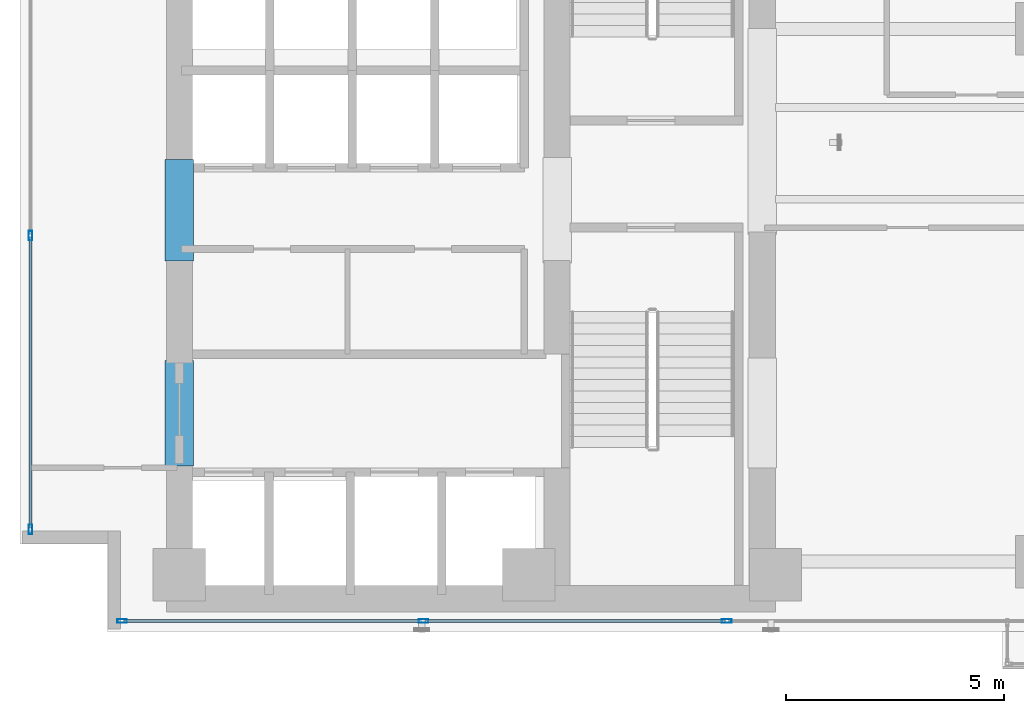
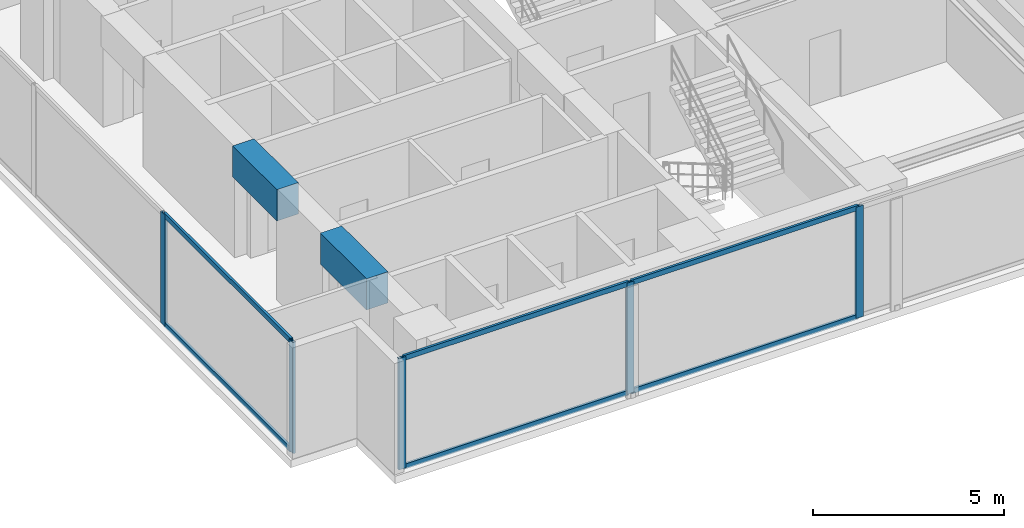
# One storey, part 2 of 24: 11 members, 2 beams, 2 elements without a shape of their own.
"""IFC4 building model written with IfcOpenShell, lengths in metres."""

import ifcopenshell
import ifcopenshell.guid

model = None  # the IFC model being written
_history = None  # IfcOwnerHistory: only IFC2X3 demands one
_inside = {}  # id of a spatial element -> (the spatial element, [elements in it])
_under = {}  # id of a project, library or spatial element -> (it, [spatial elements below it])
_declared = {}  # id of a project -> (the project, [libraries it declares])
_typed = {}  # id of a type object -> (the type object, [elements of that type])
_made_of = {}  # id of a material, layer set ... -> (it, [elements and type objects made of it])


def new_model(schema):
    """Start an empty IFC model of exactly this schema.

    Asked for "IFC4X3", IfcOpenShell would pick the latest addendum, in which some entities
    have other attributes; the version numbers below select the first issue.
    IFC2X3 requires an IfcOwnerHistory on every rooted entity: one is made here for all.
    """
    global model, _history
    if schema == "IFC4X3":
        model = ifcopenshell.file(schema_version=(4, 3, 0, 0))
    else:
        model = ifcopenshell.file(schema=schema)
    _inside.clear()
    _under.clear()
    _declared.clear()
    _typed.clear()
    _made_of.clear()
    _history = None
    if model.schema == "IFC2X3":
        org = make("IfcOrganization", Name="unknown")
        user = make(
            "IfcPersonAndOrganization",
            ThePerson=make("IfcPerson", FamilyName="unknown"),
            TheOrganization=org,
        )
        app = make(
            "IfcApplication",
            ApplicationDeveloper=org,
            Version="unknown",
            ApplicationFullName="unknown",
            ApplicationIdentifier="unknown",
        )
        _history = make(
            "IfcOwnerHistory",
            OwningUser=user,
            OwningApplication=app,
            ChangeAction="ADDED",
            CreationDate=0,
        )
    return model


def make(cls, **values):
    """One entity of the class cls with the attributes given. An attribute that is None is left unset."""
    return model.create_entity(
        cls, **{name: value for name, value in values.items() if value is not None}
    )


def rooted(cls, **values):
    """An entity with a GlobalId (a new one), such as an element, a storey or a relation."""
    return make(cls, GlobalId=ifcopenshell.guid.new(), OwnerHistory=_history, **values)


def si_unit(unit_type, name, prefix=None):
    """IfcSIUnit, for example si_unit("LENGTHUNIT", "METRE", prefix="MILLI")."""
    return make("IfcSIUnit", UnitType=unit_type, Prefix=prefix, Name=name)


def assignment(units):
    """IfcUnitAssignment: the units of a project."""
    return None if units is None else make("IfcUnitAssignment", Units=units)


def point(xyz):
    """IfcCartesianPoint."""
    return None if xyz is None else make("IfcCartesianPoint", Coordinates=xyz)


def direction(xyz):
    """IfcDirection."""
    return None if xyz is None else make("IfcDirection", DirectionRatios=xyz)


def frame(location, z_axis=None, x_axis=None):
    """IfcAxis2Placement3D, a coordinate frame: its origin and axes. An axis left out is left unset."""
    return make(
        "IfcAxis2Placement3D",
        Location=point(location),
        Axis=direction(z_axis),
        RefDirection=direction(x_axis),
    )


def frame_2d(location, x_axis=None):
    """IfcAxis2Placement2D, a coordinate frame in the plane: its origin and x axis."""
    return make(
        "IfcAxis2Placement2D", Location=point(location), RefDirection=direction(x_axis)
    )


def origin():
    """The frame at (0, 0, 0) with its axes left unset."""
    return frame((0.0, 0.0, 0.0))


def origin_with_axes():
    """The frame at (0, 0, 0) with the z axis (0, 0, 1) and the x axis (1, 0, 0) written out."""
    return frame((0.0, 0.0, 0.0), z_axis=(0.0, 0.0, 1.0), x_axis=(1.0, 0.0, 0.0))


def origin_2d():
    """The frame at (0, 0) in the plane with its x axis left unset."""
    return frame_2d((0.0, 0.0))


def place(relative_to, where):
    """IfcLocalPlacement: puts the frame where relative to a parent placement (None: the world)."""
    return make(
        "IfcLocalPlacement", PlacementRelTo=relative_to, RelativePlacement=where
    )


def context(
    kind, dimensions, precision=None, world=None, true_north=None, identifier=None
):
    """IfcGeometricRepresentationContext, for example the 3D "Model" context."""
    return make(
        "IfcGeometricRepresentationContext",
        ContextIdentifier=identifier,
        ContextType=kind,
        CoordinateSpaceDimension=dimensions,
        Precision=precision,
        WorldCoordinateSystem=world,
        TrueNorth=true_north,
    )


def subcontext(parent, identifier, kind, view, scale=None):
    """IfcGeometricRepresentationSubContext, for example "Body" below "Model"."""
    return make(
        "IfcGeometricRepresentationSubContext",
        ContextIdentifier=identifier,
        ContextType=kind,
        ParentContext=parent,
        TargetScale=scale,
        TargetView=view,
    )


def project(units=None, contexts=None):
    """IfcProject with its units and contexts."""
    return rooted(
        "IfcProject",
        Name="project",
        RepresentationContexts=contexts,
        UnitsInContext=assignment(units),
    )


def spatial(cls, under=None, at=None, **own):
    """A site, building, storey or space (cls), placed at a placement, below another one or the project."""
    s = rooted(cls, ObjectPlacement=at, **own)
    if under is not None:
        _under.setdefault(under.id(), (under, []))[1].append(s)
    return s


def profile(cls, at=None, kind="AREA", **sizes):
    """A parametric profile (cls). Its sizes go by their IFC names, for example OverallWidth=200.0."""
    return make(cls, ProfileType=kind, Position=at, **sizes)


def rectangle(**sizes):
    """IfcRectangleProfileDef."""
    return profile("IfcRectangleProfileDef", **sizes)


def hollow_rectangle(**sizes):
    """IfcRectangleHollowProfileDef."""
    return profile("IfcRectangleHollowProfileDef", **sizes)


def extrude(swept, where, along, depth):
    """IfcExtrudedAreaSolid: the profile swept, set in the frame where, extruded along a direction by depth."""
    return make(
        "IfcExtrudedAreaSolid",
        SweptArea=swept,
        Position=where,
        ExtrudedDirection=direction(along),
        Depth=depth,
    )


def shape(context_of_items, identifier, shape_type, items):
    """IfcShapeRepresentation: the items that make up one representation, for example the "Body"."""
    return make(
        "IfcShapeRepresentation",
        ContextOfItems=context_of_items,
        RepresentationIdentifier=identifier,
        RepresentationType=shape_type,
        Items=items,
    )


def source(mapping_origin, context_of_items, identifier, shape_type, items):
    """IfcRepresentationMap: a shape defined once, which mapped items show again and again."""
    return make(
        "IfcRepresentationMap",
        MappingOrigin=mapping_origin,
        MappedRepresentation=shape(context_of_items, identifier, shape_type, items),
    )


def transform(
    local_origin,
    x_axis=None,
    y_axis=None,
    z_axis=None,
    scale=None,
    scale2=None,
    scale3=None,
    uniform=True,
):
    """IfcCartesianTransformationOperator3D, or its non-uniform kind. x_axis, y_axis, z_axis: its Axis1, 2, 3."""
    if uniform:
        return make(
            "IfcCartesianTransformationOperator3D",
            Axis1=direction(x_axis),
            Axis2=direction(y_axis),
            LocalOrigin=point(local_origin),
            Scale=scale,
            Axis3=direction(z_axis),
        )
    return make(
        "IfcCartesianTransformationOperator3DnonUniform",
        Axis1=direction(x_axis),
        Axis2=direction(y_axis),
        LocalOrigin=point(local_origin),
        Scale=scale,
        Axis3=direction(z_axis),
        Scale2=scale2,
        Scale3=scale3,
    )


def mapped(mapping_source, mapping_target):
    """IfcMappedItem: shows the shape of a source again, moved by a transform."""
    return make(
        "IfcMappedItem", MappingSource=mapping_source, MappingTarget=mapping_target
    )


def material(Name=None, Category=None):
    """IfcMaterial."""
    return make("IfcMaterial", Name=Name, Category=Category)


def layer(
    of_material, thickness, ventilated=None, Name=None, Category=None, Priority=None
):
    """IfcMaterialLayer: one layer of a wall or slab, of a material (None: an air gap)."""
    return make(
        "IfcMaterialLayer",
        Material=of_material,
        LayerThickness=thickness,
        IsVentilated=ventilated,
        Name=Name,
        Category=Category,
        Priority=Priority,
    )


def layer_set(layers, Name=None):
    """IfcMaterialLayerSet."""
    return make("IfcMaterialLayerSet", MaterialLayers=layers, LayerSetName=Name)


def material_profile(
    of_material, cross_section, Name=None, Category=None, Priority=None
):
    """IfcMaterialProfile: a cross section and its material."""
    return make(
        "IfcMaterialProfile",
        Name=Name,
        Material=of_material,
        Profile=cross_section,
        Priority=Priority,
        Category=Category,
    )


def profile_set(profiles, Name=None, composite=None):
    """IfcMaterialProfileSet."""
    return make(
        "IfcMaterialProfileSet",
        Name=Name,
        MaterialProfiles=profiles,
        CompositeProfile=composite,
    )


def made_of(thing, what):
    """Note that an element or type object is made of a material, layer set ...; save() writes the relation."""
    if what is not None:
        _made_of.setdefault(what.id(), (what, []))[1].append(thing)
    return thing


def type_object(cls, material=None, **own):
    """A type object (cls), such as IfcWallType, which elements share."""
    return made_of(rooted(cls, **own), material)


def element(
    cls,
    number,
    at=None,
    inside=None,
    cuts=None,
    type_object=None,
    material=None,
    context=None,
    identifier="Body",
    shape_type=None,
    held_by="IfcProductDefinitionShape",
    body=None,
    shapes=None,
    **own,
):
    """One element of the class cls, such as IfcWall. Its Tag is "e" and its number.

    at: its placement. inside: the storey or other place that contains it. cuts: it is an
    opening in that element (IfcRelVoidsElement). A single representation is given by context,
    identifier, shape_type and body (its items); several are given by shapes. held_by: the class
    of the entity that holds the representations. save() writes the other relations.
    """
    e = rooted(cls, Tag="e%d" % number, ObjectPlacement=at, **own)
    if body is not None:
        shapes = [shape(context, identifier, shape_type, body)]
    if shapes is not None:
        e.Representation = make(held_by, Representations=shapes)
    if inside is not None:
        _inside.setdefault(inside.id(), (inside, []))[1].append(e)
    if cuts is not None:
        rooted(
            "IfcRelVoidsElement", RelatingBuildingElement=cuts, RelatedOpeningElement=e
        )
    if type_object is not None:
        _typed.setdefault(type_object.id(), (type_object, []))[1].append(e)
    return made_of(e, material)


def aggregate(whole, parts):
    """IfcRelAggregates: a whole, such as a stair, and the parts it consists of."""
    return rooted("IfcRelAggregates", RelatingObject=whole, RelatedObjects=parts)


def save(model, path):
    """Write the relations noted so far, then the file.

    IfcRelAggregates (storeys below a building ...), IfcRelContainedInSpatialStructure (elements
    in a storey), IfcRelDefinesByType, IfcRelAssociatesMaterial and IfcRelDeclares: one each for
    every whole, place, type object, material and project.
    """
    for whole, parts in _under.values():
        aggregate(whole, parts)
    for where, things in _inside.values():
        rooted(
            "IfcRelContainedInSpatialStructure",
            RelatedElements=things,
            RelatingStructure=where,
        )
    for kind, things in _typed.values():
        rooted("IfcRelDefinesByType", RelatedObjects=things, RelatingType=kind)
    for what, things in _made_of.values():
        rooted("IfcRelAssociatesMaterial", RelatedObjects=things, RelatingMaterial=what)
    for by, libraries in _declared.values():
        rooted("IfcRelDeclares", RelatingContext=by, RelatedDefinitions=libraries)
    model.write(path)


model = new_model("IFC4")

# Units and contexts
model_context = context("Model", 3, precision=1e-05, world=origin(), true_north=direction((0.0, 1.0)))
body_context = subcontext(model_context, "Body", "Model", "MODEL_VIEW")
ifc_project = project(units=[si_unit("LENGTHUNIT", "METRE"), si_unit("AREAUNIT", "SQUARE_METRE"), si_unit("VOLUMEUNIT", "CUBIC_METRE"), si_unit("PLANEANGLEUNIT", "RADIAN"), si_unit("MASSUNIT", "GRAM", prefix="KILO")], contexts=[model_context])

# Site, building, storey
site_placement = place(None, origin())
site = spatial("IfcSite", under=ifc_project, at=site_placement, CompositionType="ELEMENT")
building_placement = place(site_placement, origin())
building = spatial("IfcBuilding", under=site, at=building_placement, Name="Kolvaren Waterfront Exchange", CompositionType="ELEMENT")
storey_placement = place(building_placement, frame((0.0, 0.0, 153.800048828125)))
storey = spatial("IfcBuildingStorey", under=building, at=storey_placement, Name="L39", CompositionType="ELEMENT", Elevation=153.800048828125)

# Beams
ifc_material_1 = material(Name="Concrete C60/75", Category="concrete")
ifc_material_profile_1 = material_profile(ifc_material_1, rectangle(XDim=0.64990234375, YDim=1.0, at=origin_2d()), Name="RC-CB-1000x650")
ifc_profile_set_1 = profile_set([ifc_material_profile_1], Name="Concrete C60/75")
beam_type = type_object("IfcBeamType", Name="STR-CB-1000", PredefinedType="SPANDREL", material=ifc_profile_set_1)
beam_1_placement = place(storey_placement, frame((7.449951171875, 7.389892578125, 3.06005859375), z_axis=(0.0, 1.0, 0.0), x_axis=(-1.0, 0.0, 0.0)))
element("IfcBeam", 1, at=beam_1_placement, inside=storey, type_object=beam_type, Name="L39 core coupling beam 3", PredefinedType="SPANDREL", context=body_context, shape_type="SweptSolid", body=[
    extrude(rectangle(XDim=0.64990234375, YDim=1.0, at=origin_2d()), origin(), (0.0, 0.0, 1.0), 2.420166015625),
])
beam_2_placement = place(storey_placement, frame((7.449951171875, 12.090087890625, 3.06005859375), z_axis=(0.0, 1.0, 0.0), x_axis=(-1.0, 0.0, 0.0)))
element("IfcBeam", 2, at=beam_2_placement, inside=storey, type_object=beam_type, Name="L39 core coupling beam 4", PredefinedType="SPANDREL", context=body_context, shape_type="SweptSolid", body=[
    extrude(rectangle(XDim=0.64990234375, YDim=1.0, at=origin_2d()), origin(), (0.0, 0.0, 1.0), 2.31982421875),
])

# Curtain wall, members
ifc_material_2 = material(Name="Anodised bronze aluminium 6063-T6", Category="aluminium")
ifc_layer_1 = layer(ifc_material_2, 0.219970703125, Name="Anodised bronze aluminium 6063-T6")
ifc_layer_set_1 = layer_set([ifc_layer_1], Name="Anodised bronze aluminium 6063-T6")
curtain_wall_type_1 = type_object("IfcCurtainWallType", Name="ARC-CW-SYS1", PredefinedType="USERDEFINED", material=ifc_layer_set_1)
curtain_wall_1_placement = place(storey_placement, origin())
curtain_wall_1 = element("IfcCurtainWall", 3, at=curtain_wall_1_placement, inside=storey, type_object=curtain_wall_type_1, Name="L39 stick curtain wall CW1 (CW-L39-S)", ObjectType="STICK CURTAIN WALL", PredefinedType="USERDEFINED")
ifc_material_3 = material(Name="Anodised aluminium 6063-T6", Category="aluminium")
ifc_material_profile_2 = material_profile(ifc_material_3, hollow_rectangle(XDim=0.080078125, YDim=0.219970703125, WallThickness=0.0048828125, at=origin_2d()), Name="ALU-MUL-220x80x5")
ifc_profile_set_2 = profile_set([ifc_material_profile_2], Name="Anodised aluminium 6063-T6")
member_type_1 = type_object("IfcMemberType", Name="ARC-CWM-220", PredefinedType="MULLION", material=ifc_profile_set_2)
shared_shape_1 = source(origin_with_axes(), body_context, "Body", "SweptSolid", [
    extrude(hollow_rectangle(XDim=0.080078125, YDim=0.219970703125, WallThickness=0.0048828125, at=origin_2d()), origin(), (0.0, 0.0, 1.0), 3.56005859375),
])
member_1_placement = place(storey_placement, frame((6.139892578125, 3.840087890625, 0.0), z_axis=(0.0, 0.0, 1.0), x_axis=(0.0, 1.0, 0.0)))
member_1 = element("IfcMember", 4, at=member_1_placement, type_object=member_type_1, Name="CW1 mullion 1", PredefinedType="MULLION", context=body_context, shape_type="MappedRepresentation", body=[
    mapped(shared_shape_1, transform((0.0, 0.0, 0.0), x_axis=(1.0, 0.0, 0.0), y_axis=(0.0, 1.0, 0.0), z_axis=(0.0, 0.0, 1.0), scale=1.0)),
])
member_2_placement = place(storey_placement, frame((13.04296875, 3.840087890625, 0.0), z_axis=(0.0, 0.0, 1.0), x_axis=(0.0, 1.0, 0.0)))
member_2 = element("IfcMember", 5, at=member_2_placement, type_object=member_type_1, Name="CW1 mullion 2", PredefinedType="MULLION", context=body_context, shape_type="MappedRepresentation", body=[
    mapped(shared_shape_1, transform((0.0, 0.0, 0.0), x_axis=(1.0, 0.0, 0.0), y_axis=(0.0, 1.0, 0.0), z_axis=(0.0, 0.0, 1.0), scale=1.0)),
])
member_3_placement = place(storey_placement, frame((19.985595703125, 3.840087890625, 0.0), z_axis=(0.0, 0.0, 1.0), x_axis=(0.0, 1.0, 0.0)))
member_3 = element("IfcMember", 6, at=member_3_placement, type_object=member_type_1, Name="CW1 mullion 3", PredefinedType="MULLION", context=body_context, shape_type="MappedRepresentation", body=[
    mapped(shared_shape_1, transform((0.0, 0.0, 0.0), x_axis=(1.0, 0.0, 0.0), y_axis=(0.0, 1.0, 0.0), z_axis=(0.0, 0.0, 1.0), scale=1.0)),
])

ifc_layer_2 = layer(ifc_material_3, 0.219970703125, Name="Anodised aluminium 6063-T6")
ifc_layer_set_2 = layer_set([ifc_layer_2], Name="Anodised aluminium 6063-T6")
curtain_wall_type_2 = type_object("IfcCurtainWallType", Name="ARC-CW-SYS2", PredefinedType="USERDEFINED", material=ifc_layer_set_2)
curtain_wall_2_placement = place(storey_placement, origin())
curtain_wall_2 = element("IfcCurtainWall", 7, at=curtain_wall_2_placement, inside=storey, type_object=curtain_wall_type_2, Name="L39 stick curtain wall CW2 (CW-L39-W)", ObjectType="STICK CURTAIN WALL", PredefinedType="USERDEFINED")
member_4_placement = place(storey_placement, frame((4.0400390625, 5.93994140625, 0.0), z_axis=(0.0, 0.0, 1.0), x_axis=(-1.0, 0.0, 0.0)))
member_4 = element("IfcMember", 8, at=member_4_placement, type_object=member_type_1, Name="CW2 mullion 1", PredefinedType="MULLION", context=body_context, shape_type="MappedRepresentation", body=[
    mapped(shared_shape_1, transform((0.0, 0.0, 0.0), x_axis=(1.0, 0.0, 0.0), y_axis=(0.0, 1.0, 0.0), z_axis=(0.0, 0.0, 1.0), scale=1.0)),
])
member_5_placement = place(storey_placement, frame((4.0400390625, 12.666748046875, 0.0), z_axis=(0.0, 0.0, 1.0), x_axis=(-1.0, 0.0, 0.0)))
member_5 = element("IfcMember", 9, at=member_5_placement, type_object=member_type_1, Name="CW2 mullion 2", PredefinedType="MULLION", context=body_context, shape_type="MappedRepresentation", body=[
    mapped(shared_shape_1, transform((0.0, 0.0, 0.0), x_axis=(1.0, 0.0, 0.0), y_axis=(0.0, 1.0, 0.0), z_axis=(0.0, 0.0, 1.0), scale=1.0)),
])

# Member
ifc_material_profile_3 = material_profile(ifc_material_3, hollow_rectangle(XDim=0.074951171875, YDim=0.159912109375, WallThickness=0.00439453125, at=origin_2d()), Name="ALU-TRN-160x75x4.5")
ifc_profile_set_3 = profile_set([ifc_material_profile_3], Name="Anodised aluminium 6063-T6")
member_type_2 = type_object("IfcMemberType", Name="ARC-CWT-160", PredefinedType="USERDEFINED", material=ifc_profile_set_3)
shared_shape_2 = source(origin_with_axes(), body_context, "Body", "SweptSolid", [
    extrude(hollow_rectangle(XDim=0.074951171875, YDim=0.159912109375, WallThickness=0.00439453125, at=origin_2d()), origin(), (0.0, 0.0, 1.0), 6.822998046875),
])
member_6_placement = place(storey_placement, frame((6.179931640625, 3.840087890625, 0.037353515625), z_axis=(1.0, 0.0, 0.0), x_axis=(0.0, 1.0, 0.0)))
member_6 = element("IfcMember", 10, at=member_6_placement, type_object=member_type_2, Name="CW1 transom 1.1", ObjectType="TRANSOM", PredefinedType="USERDEFINED", context=body_context, shape_type="MappedRepresentation", body=[
    mapped(shared_shape_2, transform((0.0, 0.0, 0.0), x_axis=(1.0, 0.0, 0.0), y_axis=(0.0, 1.0, 0.0), z_axis=(0.0, 0.0, 1.0), scale=1.0)),
])

member_7_placement = place(storey_placement, frame((6.179931640625, 3.840087890625, 3.5224609375), z_axis=(1.0, 0.0, 0.0), x_axis=(0.0, 1.0, 0.0)))
member_7 = element("IfcMember", 11, at=member_7_placement, type_object=member_type_2, Name="CW1 transom 1.2", ObjectType="TRANSOM", PredefinedType="USERDEFINED", context=body_context, shape_type="MappedRepresentation", body=[
    mapped(shared_shape_2, transform((0.0, 0.0, 0.0), x_axis=(1.0, 0.0, 0.0), y_axis=(0.0, 1.0, 0.0), z_axis=(0.0, 0.0, 1.0), scale=1.0)),
])

shared_shape_3 = source(origin_with_axes(), body_context, "Body", "SweptSolid", [
    extrude(hollow_rectangle(XDim=0.074951171875, YDim=0.159912109375, WallThickness=0.00439453125, at=origin_2d()), origin(), (0.0, 0.0, 1.0), 6.863037109375),
])
member_8_placement = place(storey_placement, frame((13.082763671875, 3.840087890625, 0.037353515625), z_axis=(1.0, 0.0, 0.0), x_axis=(0.0, 1.0, 0.0)))
member_8 = element("IfcMember", 12, at=member_8_placement, type_object=member_type_2, Name="CW1 transom 2.1", ObjectType="TRANSOM", PredefinedType="USERDEFINED", context=body_context, shape_type="MappedRepresentation", body=[
    mapped(shared_shape_3, transform((0.0, 0.0, 0.0), x_axis=(1.0, 0.0, 0.0), y_axis=(0.0, 1.0, 0.0), z_axis=(0.0, 0.0, 1.0), scale=1.0)),
])

member_9_placement = place(storey_placement, frame((13.082763671875, 3.840087890625, 3.5224609375), z_axis=(1.0, 0.0, 0.0), x_axis=(0.0, 1.0, 0.0)))
member_9 = element("IfcMember", 13, at=member_9_placement, type_object=member_type_2, Name="CW1 transom 2.2", ObjectType="TRANSOM", PredefinedType="USERDEFINED", context=body_context, shape_type="MappedRepresentation", body=[
    mapped(shared_shape_3, transform((0.0, 0.0, 0.0), x_axis=(1.0, 0.0, 0.0), y_axis=(0.0, 1.0, 0.0), z_axis=(0.0, 0.0, 1.0), scale=1.0)),
])

aggregate(curtain_wall_1, [member_1, member_2, member_3, member_6, member_7, member_8, member_9])

shared_shape_4 = source(origin_with_axes(), body_context, "Body", "SweptSolid", [
    extrude(hollow_rectangle(XDim=0.074951171875, YDim=0.159912109375, WallThickness=0.00439453125, at=origin_2d()), origin(), (0.0, 0.0, 1.0), 6.646728515625),
])
member_10_placement = place(storey_placement, frame((4.0400390625, 5.97998046875, 0.037353515625), z_axis=(0.0, 1.0, 0.0), x_axis=(-1.0, 0.0, 0.0)))
member_10 = element("IfcMember", 14, at=member_10_placement, type_object=member_type_2, Name="CW2 transom 1.1", ObjectType="TRANSOM", PredefinedType="USERDEFINED", context=body_context, shape_type="MappedRepresentation", body=[
    mapped(shared_shape_4, transform((0.0, 0.0, 0.0), x_axis=(1.0, 0.0, 0.0), y_axis=(0.0, 1.0, 0.0), z_axis=(0.0, 0.0, 1.0), scale=1.0)),
])

member_11_placement = place(storey_placement, frame((4.0400390625, 5.97998046875, 3.5224609375), z_axis=(0.0, 1.0, 0.0), x_axis=(-1.0, 0.0, 0.0)))
member_11 = element("IfcMember", 15, at=member_11_placement, type_object=member_type_2, Name="CW2 transom 1.2", ObjectType="TRANSOM", PredefinedType="USERDEFINED", context=body_context, shape_type="MappedRepresentation", body=[
    mapped(shared_shape_4, transform((0.0, 0.0, 0.0), x_axis=(1.0, 0.0, 0.0), y_axis=(0.0, 1.0, 0.0), z_axis=(0.0, 0.0, 1.0), scale=1.0)),
])

aggregate(curtain_wall_2, [member_4, member_5, member_10, member_11])

save(model, "model.ifc")
